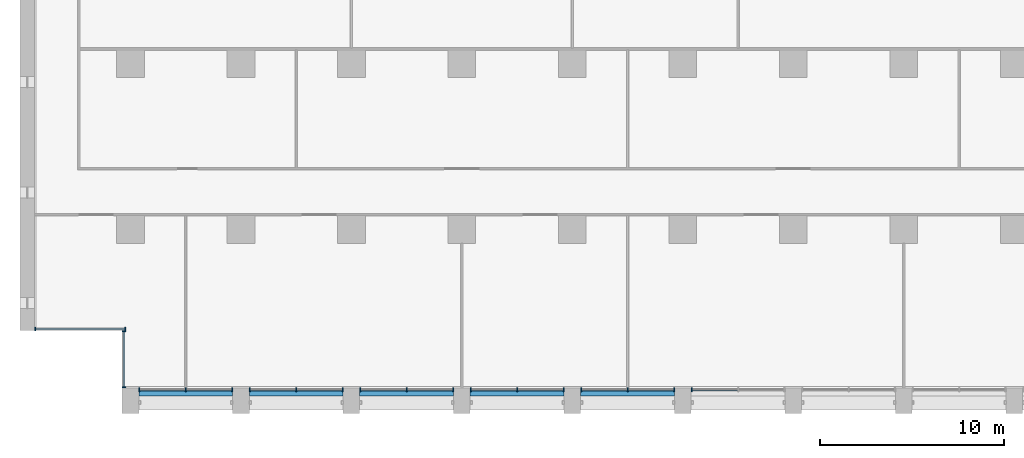
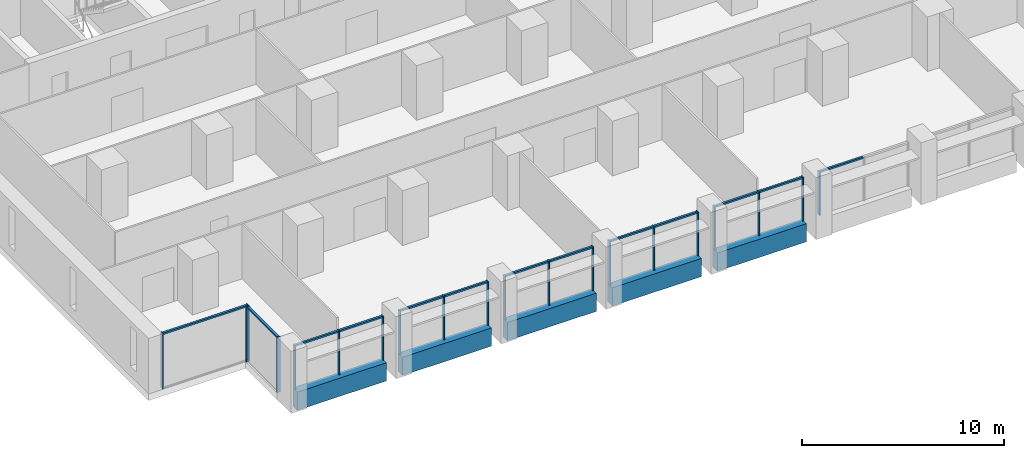
# One storey, part 2 of 18: 33 members, 5 beams, 8 elements without a shape of their own.
"""IFC4 building model written with IfcOpenShell, lengths in metres."""

from ifc_helpers import new_model, si_unit, direction, frame, origin, origin_2d, place, context, subcontext, project, spatial, rectangle, extrude, material, material_profile, profile_set, type_object, element, aggregate, save


model = new_model("IFC4")

# Units and contexts
model_context = context("Model", 3, precision=1e-05, world=origin(), true_north=direction((0.0, 1.0)))
body_context = subcontext(model_context, "Body", "Model", "MODEL_VIEW")
ifc_project = project(units=[si_unit("LENGTHUNIT", "METRE"), si_unit("AREAUNIT", "SQUARE_METRE"), si_unit("VOLUMEUNIT", "CUBIC_METRE"), si_unit("PLANEANGLEUNIT", "RADIAN"), si_unit("MASSUNIT", "GRAM", prefix="KILO")], contexts=[model_context])

# Site, building, storey
site_placement = place(None, origin())
site = spatial("IfcSite", under=ifc_project, at=site_placement, CompositionType="ELEMENT")
building_placement = place(site_placement, origin())
building = spatial("IfcBuilding", under=site, at=building_placement, Name="Calvaro Tower", CompositionType="ELEMENT")
storey_placement = place(building_placement, frame((0.0, 0.0, 82.5)))
storey = spatial("IfcBuildingStorey", under=building, at=storey_placement, Name="L20", CompositionType="ELEMENT", Elevation=82.5)

# Curtain wall, members
ifc_material_1 = material(Name="Anodised aluminium", Category="aluminium")
curtain_wall_type = type_object("IfcCurtainWallType", Name="Office curtain wall, lower zone", PredefinedType="NOTDEFINED", material=ifc_material_1)
curtain_wall_1_placement = place(storey_placement, origin())
curtain_wall_1 = element("IfcCurtainWall", 1, at=curtain_wall_1_placement, inside=storey, type_object=curtain_wall_type, Name="CW1 south curtain wall", PredefinedType="NOTDEFINED")
ifc_material_2 = material(Name="Anodised aluminium", Category="aluminium")
ifc_material_profile_1 = material_profile(ifc_material_2, rectangle(XDim=0.199951171875, YDim=0.06005859375, at=origin_2d()), Name="Mullion S1 60 x 200")
ifc_profile_set_1 = profile_set([ifc_material_profile_1], Name="Anodised aluminium")
member_type_1 = type_object("IfcMemberType", Name="Mullion S1 60 x 200", PredefinedType="MULLION", material=ifc_profile_set_1)
member_1_placement = place(storey_placement, frame((6.47998046875, 1.300048828125, 0.0), z_axis=(0.0, 0.0, 1.0), x_axis=(0.0, 1.0, 0.0)))
member_1 = element("IfcMember", 2, at=member_1_placement, type_object=member_type_1, Name="CW1 mullion 1", PredefinedType="MULLION", context=body_context, shape_type="SweptSolid", body=[
    extrude(rectangle(XDim=0.199951171875, YDim=0.06005859375, at=origin_2d()), origin(), (0.0, 0.0, 1.0), 2.64990234375),
])
member_2_placement = place(storey_placement, frame((9.0, 1.300048828125, 0.0), z_axis=(0.0, 0.0, 1.0), x_axis=(0.0, 1.0, 0.0)))
member_2 = element("IfcMember", 3, at=member_2_placement, type_object=member_type_1, Name="CW1 mullion 2", PredefinedType="MULLION", context=body_context, shape_type="SweptSolid", body=[
    extrude(rectangle(XDim=0.199951171875, YDim=0.06005859375, at=origin_2d()), origin(), (0.0, 0.0, 1.0), 2.64990234375),
])
member_3_placement = place(storey_placement, frame((11.52001953125, 1.300048828125, 0.0), z_axis=(0.0, 0.0, 1.0), x_axis=(0.0, 1.0, 0.0)))
member_3 = element("IfcMember", 4, at=member_3_placement, type_object=member_type_1, Name="CW1 mullion 3", PredefinedType="MULLION", context=body_context, shape_type="SweptSolid", body=[
    extrude(rectangle(XDim=0.199951171875, YDim=0.06005859375, at=origin_2d()), origin(), (0.0, 0.0, 1.0), 2.64990234375),
])

curtain_wall_2_placement = place(storey_placement, origin())
curtain_wall_2 = element("IfcCurtainWall", 5, at=curtain_wall_2_placement, inside=storey, type_object=curtain_wall_type, Name="CW1 south curtain wall", PredefinedType="NOTDEFINED")
member_4_placement = place(storey_placement, frame((12.47998046875, 1.300048828125, 0.0), z_axis=(0.0, 0.0, 1.0), x_axis=(0.0, 1.0, 0.0)))
member_4 = element("IfcMember", 6, at=member_4_placement, type_object=member_type_1, Name="CW1 mullion 1", PredefinedType="MULLION", context=body_context, shape_type="SweptSolid", body=[
    extrude(rectangle(XDim=0.199951171875, YDim=0.06005859375, at=origin_2d()), origin(), (0.0, 0.0, 1.0), 2.64990234375),
])
member_5_placement = place(storey_placement, frame((15.0, 1.300048828125, 0.0), z_axis=(0.0, 0.0, 1.0), x_axis=(0.0, 1.0, 0.0)))
member_5 = element("IfcMember", 7, at=member_5_placement, type_object=member_type_1, Name="CW1 mullion 2", PredefinedType="MULLION", context=body_context, shape_type="SweptSolid", body=[
    extrude(rectangle(XDim=0.199951171875, YDim=0.06005859375, at=origin_2d()), origin(), (0.0, 0.0, 1.0), 2.64990234375),
])
member_6_placement = place(storey_placement, frame((17.52001953125, 1.300048828125, 0.0), z_axis=(0.0, 0.0, 1.0), x_axis=(0.0, 1.0, 0.0)))
member_6 = element("IfcMember", 8, at=member_6_placement, type_object=member_type_1, Name="CW1 mullion 3", PredefinedType="MULLION", context=body_context, shape_type="SweptSolid", body=[
    extrude(rectangle(XDim=0.199951171875, YDim=0.06005859375, at=origin_2d()), origin(), (0.0, 0.0, 1.0), 2.64990234375),
])

curtain_wall_3_placement = place(storey_placement, origin())
curtain_wall_3 = element("IfcCurtainWall", 9, at=curtain_wall_3_placement, inside=storey, type_object=curtain_wall_type, Name="CW1 south curtain wall", PredefinedType="NOTDEFINED")
member_7_placement = place(storey_placement, frame((18.47998046875, 1.300048828125, 0.0), z_axis=(0.0, 0.0, 1.0), x_axis=(0.0, 1.0, 0.0)))
member_7 = element("IfcMember", 10, at=member_7_placement, type_object=member_type_1, Name="CW1 mullion 1", PredefinedType="MULLION", context=body_context, shape_type="SweptSolid", body=[
    extrude(rectangle(XDim=0.199951171875, YDim=0.06005859375, at=origin_2d()), origin(), (0.0, 0.0, 1.0), 2.64990234375),
])
member_8_placement = place(storey_placement, frame((21.0, 1.300048828125, 0.0), z_axis=(0.0, 0.0, 1.0), x_axis=(0.0, 1.0, 0.0)))
member_8 = element("IfcMember", 11, at=member_8_placement, type_object=member_type_1, Name="CW1 mullion 2", PredefinedType="MULLION", context=body_context, shape_type="SweptSolid", body=[
    extrude(rectangle(XDim=0.199951171875, YDim=0.06005859375, at=origin_2d()), origin(), (0.0, 0.0, 1.0), 2.64990234375),
])
member_9_placement = place(storey_placement, frame((23.52001953125, 1.300048828125, 0.0), z_axis=(0.0, 0.0, 1.0), x_axis=(0.0, 1.0, 0.0)))
member_9 = element("IfcMember", 12, at=member_9_placement, type_object=member_type_1, Name="CW1 mullion 3", PredefinedType="MULLION", context=body_context, shape_type="SweptSolid", body=[
    extrude(rectangle(XDim=0.199951171875, YDim=0.06005859375, at=origin_2d()), origin(), (0.0, 0.0, 1.0), 2.64990234375),
])

curtain_wall_4_placement = place(storey_placement, origin())
curtain_wall_4 = element("IfcCurtainWall", 13, at=curtain_wall_4_placement, inside=storey, type_object=curtain_wall_type, Name="CW1 south curtain wall", PredefinedType="NOTDEFINED")
member_10_placement = place(storey_placement, frame((24.47998046875, 1.300048828125, 0.0), z_axis=(0.0, 0.0, 1.0), x_axis=(0.0, 1.0, 0.0)))
member_10 = element("IfcMember", 14, at=member_10_placement, type_object=member_type_1, Name="CW1 mullion 1", PredefinedType="MULLION", context=body_context, shape_type="SweptSolid", body=[
    extrude(rectangle(XDim=0.199951171875, YDim=0.06005859375, at=origin_2d()), origin(), (0.0, 0.0, 1.0), 2.64990234375),
])
member_11_placement = place(storey_placement, frame((27.0, 1.300048828125, 0.0), z_axis=(0.0, 0.0, 1.0), x_axis=(0.0, 1.0, 0.0)))
member_11 = element("IfcMember", 15, at=member_11_placement, type_object=member_type_1, Name="CW1 mullion 2", PredefinedType="MULLION", context=body_context, shape_type="SweptSolid", body=[
    extrude(rectangle(XDim=0.199951171875, YDim=0.06005859375, at=origin_2d()), origin(), (0.0, 0.0, 1.0), 2.64990234375),
])
member_12_placement = place(storey_placement, frame((29.52001953125, 1.300048828125, 0.0), z_axis=(0.0, 0.0, 1.0), x_axis=(0.0, 1.0, 0.0)))
member_12 = element("IfcMember", 16, at=member_12_placement, type_object=member_type_1, Name="CW1 mullion 3", PredefinedType="MULLION", context=body_context, shape_type="SweptSolid", body=[
    extrude(rectangle(XDim=0.199951171875, YDim=0.06005859375, at=origin_2d()), origin(), (0.0, 0.0, 1.0), 2.64990234375),
])

curtain_wall_5_placement = place(storey_placement, origin())
curtain_wall_5 = element("IfcCurtainWall", 17, at=curtain_wall_5_placement, inside=storey, type_object=curtain_wall_type, Name="CW1 south curtain wall", PredefinedType="NOTDEFINED")
member_13_placement = place(storey_placement, frame((30.47998046875, 1.300048828125, 0.0), z_axis=(0.0, 0.0, 1.0), x_axis=(0.0, 1.0, 0.0)))
member_13 = element("IfcMember", 18, at=member_13_placement, type_object=member_type_1, Name="CW1 mullion 1", PredefinedType="MULLION", context=body_context, shape_type="SweptSolid", body=[
    extrude(rectangle(XDim=0.199951171875, YDim=0.06005859375, at=origin_2d()), origin(), (0.0, 0.0, 1.0), 2.64990234375),
])
member_14_placement = place(storey_placement, frame((33.0, 1.300048828125, 0.0), z_axis=(0.0, 0.0, 1.0), x_axis=(0.0, 1.0, 0.0)))
member_14 = element("IfcMember", 19, at=member_14_placement, type_object=member_type_1, Name="CW1 mullion 2", PredefinedType="MULLION", context=body_context, shape_type="SweptSolid", body=[
    extrude(rectangle(XDim=0.199951171875, YDim=0.06005859375, at=origin_2d()), origin(), (0.0, 0.0, 1.0), 2.64990234375),
])
member_15_placement = place(storey_placement, frame((35.52001953125, 1.300048828125, 0.0), z_axis=(0.0, 0.0, 1.0), x_axis=(0.0, 1.0, 0.0)))
member_15 = element("IfcMember", 20, at=member_15_placement, type_object=member_type_1, Name="CW1 mullion 3", PredefinedType="MULLION", context=body_context, shape_type="SweptSolid", body=[
    extrude(rectangle(XDim=0.199951171875, YDim=0.06005859375, at=origin_2d()), origin(), (0.0, 0.0, 1.0), 2.64990234375),
])

# Curtain wall, member
curtain_wall_6_placement = place(storey_placement, origin())
curtain_wall_6 = element("IfcCurtainWall", 21, at=curtain_wall_6_placement, inside=storey, type_object=curtain_wall_type, Name="CW1 south curtain wall", PredefinedType="NOTDEFINED")
member_16_placement = place(storey_placement, frame((36.47998046875, 1.300048828125, 0.0), z_axis=(0.0, 0.0, 1.0), x_axis=(0.0, 1.0, 0.0)))
member_16 = element("IfcMember", 22, at=member_16_placement, type_object=member_type_1, Name="CW1 mullion 1", PredefinedType="MULLION", context=body_context, shape_type="SweptSolid", body=[
    extrude(rectangle(XDim=0.199951171875, YDim=0.06005859375, at=origin_2d()), origin(), (0.0, 0.0, 1.0), 2.64990234375),
])

# Curtain wall, members
curtain_wall_7_placement = place(storey_placement, origin())
curtain_wall_7 = element("IfcCurtainWall", 23, at=curtain_wall_7_placement, inside=storey, type_object=curtain_wall_type, Name="CW1 corner curtain wall", PredefinedType="NOTDEFINED")
member_17_placement = place(storey_placement, frame((5.64990234375, 1.429931640625, 0.0), z_axis=(0.0, 0.0, 1.0), x_axis=(-1.0, 0.0, 0.0)))
member_17 = element("IfcMember", 24, at=member_17_placement, type_object=member_type_1, Name="CW1 mullion 1", PredefinedType="MULLION", context=body_context, shape_type="SweptSolid", body=[
    extrude(rectangle(XDim=0.199951171875, YDim=0.06005859375, at=origin_2d()), origin(), (0.0, 0.0, 1.0), 3.35009765625),
])
member_18_placement = place(storey_placement, frame((5.64990234375, 4.469970703125, 0.0), z_axis=(0.0, 0.0, 1.0), x_axis=(-1.0, 0.0, 0.0)))
member_18 = element("IfcMember", 25, at=member_18_placement, type_object=member_type_1, Name="CW1 mullion 2", PredefinedType="MULLION", context=body_context, shape_type="SweptSolid", body=[
    extrude(rectangle(XDim=0.199951171875, YDim=0.06005859375, at=origin_2d()), origin(), (0.0, 0.0, 1.0), 3.35009765625),
])

curtain_wall_8_placement = place(storey_placement, origin())
curtain_wall_8 = element("IfcCurtainWall", 26, at=curtain_wall_8_placement, inside=storey, type_object=curtain_wall_type, Name="CW1 corner curtain wall", PredefinedType="NOTDEFINED")
member_19_placement = place(storey_placement, frame((0.830078125, 4.60009765625, 0.0), z_axis=(0.0, 0.0, 1.0), x_axis=(0.0, 1.0, 0.0)))
member_19 = element("IfcMember", 27, at=member_19_placement, type_object=member_type_1, Name="CW1 mullion 1", PredefinedType="MULLION", context=body_context, shape_type="SweptSolid", body=[
    extrude(rectangle(XDim=0.199951171875, YDim=0.06005859375, at=origin_2d()), origin(), (0.0, 0.0, 1.0), 3.35009765625),
])
member_20_placement = place(storey_placement, frame((5.719970703125, 4.60009765625, 0.0), z_axis=(0.0, 0.0, 1.0), x_axis=(0.0, 1.0, 0.0)))
member_20 = element("IfcMember", 28, at=member_20_placement, type_object=member_type_1, Name="CW1 mullion 2", PredefinedType="MULLION", context=body_context, shape_type="SweptSolid", body=[
    extrude(rectangle(XDim=0.199951171875, YDim=0.06005859375, at=origin_2d()), origin(), (0.0, 0.0, 1.0), 3.35009765625),
])

# Beams
ifc_material_3 = material(Name="Concrete C50/60 precast", Category="concrete")
ifc_material_profile_2 = material_profile(ifc_material_3, rectangle(XDim=0.449951171875, YDim=1.10009765625, at=origin_2d()), Name="RC 450x1100")
ifc_profile_set_2 = profile_set([ifc_material_profile_2], Name="Concrete C50/60 precast")
beam_type = type_object("IfcBeamType", Name="Spandrel beam 450x1100 C50/60", PredefinedType="SPANDREL", material=ifc_profile_set_2)
for number, where, z_axis, x_axis, name in (
    (29, (6.449951171875, 1.175048828125, -0.550048828125), (1.0, 0.0, 0.0), (0.0, 1.0, 0.0), "Spandrel beam"),
    (30, (12.449951171875, 1.175048828125, -0.550048828125), (1.0, 0.0, 0.0), (0.0, 1.0, 0.0), "Spandrel beam"),
    (31, (18.449951171875, 1.175048828125, -0.550048828125), (1.0, 0.0, 0.0), (0.0, 1.0, 0.0), "Spandrel beam"),
    (32, (24.449951171875, 1.175048828125, -0.550048828125), (1.0, 0.0, 0.0), (0.0, 1.0, 0.0), "Spandrel beam"),
    (33, (30.449951171875, 1.175048828125, -0.550048828125), (1.0, 0.0, 0.0), (0.0, 1.0, 0.0), "Spandrel beam"),
):
    element("IfcBeam", number, at=place(storey_placement, frame(where, z_axis=z_axis, x_axis=x_axis)), inside=storey, type_object=beam_type, Name=name, PredefinedType="SPANDREL", context=body_context, shape_type="SweptSolid", body=[
        extrude(rectangle(XDim=0.449951171875, YDim=1.10009765625, at=origin_2d()), origin(), (0.0, 0.0, 1.0), 5.10009765625),
    ])

# Member
ifc_material_4 = material(Name="Anodised aluminium", Category="aluminium")
ifc_material_profile_3 = material_profile(ifc_material_4, rectangle(XDim=0.1201171875, YDim=0.10009765625, at=origin_2d()), Name="Transom S1 100 x 120")
ifc_profile_set_3 = profile_set([ifc_material_profile_3], Name="Anodised aluminium")
member_type_2 = type_object("IfcMemberType", Name="Transom S1 100 x 120", PredefinedType="USERDEFINED", material=ifc_profile_set_3)
member_21_placement = place(storey_placement, frame((6.510009765625, 1.300048828125, 2.60009765625), z_axis=(1.0, 0.0, 0.0), x_axis=(0.0, 1.0, 0.0)))
member_21 = element("IfcMember", 34, at=member_21_placement, type_object=member_type_2, Name="CW1 transom 1.1", ObjectType="TRANSOM", PredefinedType="USERDEFINED", context=body_context, shape_type="SweptSolid", body=[
    extrude(rectangle(XDim=0.1201171875, YDim=0.10009765625, at=origin_2d()), origin(), (0.0, 0.0, 1.0), 2.4599609375),
])

member_22_placement = place(storey_placement, frame((9.030029296875, 1.300048828125, 2.60009765625), z_axis=(1.0, 0.0, 0.0), x_axis=(0.0, 1.0, 0.0)))
member_22 = element("IfcMember", 35, at=member_22_placement, type_object=member_type_2, Name="CW1 transom 2.1", ObjectType="TRANSOM", PredefinedType="USERDEFINED", context=body_context, shape_type="SweptSolid", body=[
    extrude(rectangle(XDim=0.1201171875, YDim=0.10009765625, at=origin_2d()), origin(), (0.0, 0.0, 1.0), 2.4599609375),
])

aggregate(curtain_wall_1, [member_1, member_2, member_3, member_21, member_22])

member_23_placement = place(storey_placement, frame((12.510009765625, 1.300048828125, 2.60009765625), z_axis=(1.0, 0.0, 0.0), x_axis=(0.0, 1.0, 0.0)))
member_23 = element("IfcMember", 36, at=member_23_placement, type_object=member_type_2, Name="CW1 transom 1.1", ObjectType="TRANSOM", PredefinedType="USERDEFINED", context=body_context, shape_type="SweptSolid", body=[
    extrude(rectangle(XDim=0.1201171875, YDim=0.10009765625, at=origin_2d()), origin(), (0.0, 0.0, 1.0), 2.4599609375),
])

member_24_placement = place(storey_placement, frame((15.030029296875, 1.300048828125, 2.60009765625), z_axis=(1.0, 0.0, 0.0), x_axis=(0.0, 1.0, 0.0)))
member_24 = element("IfcMember", 37, at=member_24_placement, type_object=member_type_2, Name="CW1 transom 2.1", ObjectType="TRANSOM", PredefinedType="USERDEFINED", context=body_context, shape_type="SweptSolid", body=[
    extrude(rectangle(XDim=0.1201171875, YDim=0.10009765625, at=origin_2d()), origin(), (0.0, 0.0, 1.0), 2.4599609375),
])

aggregate(curtain_wall_2, [member_4, member_5, member_6, member_23, member_24])

member_25_placement = place(storey_placement, frame((18.510009765625, 1.300048828125, 2.60009765625), z_axis=(1.0, 0.0, 0.0), x_axis=(0.0, 1.0, 0.0)))
member_25 = element("IfcMember", 38, at=member_25_placement, type_object=member_type_2, Name="CW1 transom 1.1", ObjectType="TRANSOM", PredefinedType="USERDEFINED", context=body_context, shape_type="SweptSolid", body=[
    extrude(rectangle(XDim=0.1201171875, YDim=0.10009765625, at=origin_2d()), origin(), (0.0, 0.0, 1.0), 2.4599609375),
])

member_26_placement = place(storey_placement, frame((21.030029296875, 1.300048828125, 2.60009765625), z_axis=(1.0, 0.0, 0.0), x_axis=(0.0, 1.0, 0.0)))
member_26 = element("IfcMember", 39, at=member_26_placement, type_object=member_type_2, Name="CW1 transom 2.1", ObjectType="TRANSOM", PredefinedType="USERDEFINED", context=body_context, shape_type="SweptSolid", body=[
    extrude(rectangle(XDim=0.1201171875, YDim=0.10009765625, at=origin_2d()), origin(), (0.0, 0.0, 1.0), 2.4599609375),
])

aggregate(curtain_wall_3, [member_7, member_8, member_9, member_25, member_26])

member_27_placement = place(storey_placement, frame((24.510009765625, 1.300048828125, 2.60009765625), z_axis=(1.0, 0.0, 0.0), x_axis=(0.0, 1.0, 0.0)))
member_27 = element("IfcMember", 40, at=member_27_placement, type_object=member_type_2, Name="CW1 transom 1.1", ObjectType="TRANSOM", PredefinedType="USERDEFINED", context=body_context, shape_type="SweptSolid", body=[
    extrude(rectangle(XDim=0.1201171875, YDim=0.10009765625, at=origin_2d()), origin(), (0.0, 0.0, 1.0), 2.4599609375),
])

member_28_placement = place(storey_placement, frame((27.030029296875, 1.300048828125, 2.60009765625), z_axis=(1.0, 0.0, 0.0), x_axis=(0.0, 1.0, 0.0)))
member_28 = element("IfcMember", 41, at=member_28_placement, type_object=member_type_2, Name="CW1 transom 2.1", ObjectType="TRANSOM", PredefinedType="USERDEFINED", context=body_context, shape_type="SweptSolid", body=[
    extrude(rectangle(XDim=0.1201171875, YDim=0.10009765625, at=origin_2d()), origin(), (0.0, 0.0, 1.0), 2.4599609375),
])

aggregate(curtain_wall_4, [member_10, member_11, member_12, member_27, member_28])

member_29_placement = place(storey_placement, frame((30.510009765625, 1.300048828125, 2.60009765625), z_axis=(1.0, 0.0, 0.0), x_axis=(0.0, 1.0, 0.0)))
member_29 = element("IfcMember", 42, at=member_29_placement, type_object=member_type_2, Name="CW1 transom 1.1", ObjectType="TRANSOM", PredefinedType="USERDEFINED", context=body_context, shape_type="SweptSolid", body=[
    extrude(rectangle(XDim=0.1201171875, YDim=0.10009765625, at=origin_2d()), origin(), (0.0, 0.0, 1.0), 2.4599609375),
])

member_30_placement = place(storey_placement, frame((33.030029296875, 1.300048828125, 2.60009765625), z_axis=(1.0, 0.0, 0.0), x_axis=(0.0, 1.0, 0.0)))
member_30 = element("IfcMember", 43, at=member_30_placement, type_object=member_type_2, Name="CW1 transom 2.1", ObjectType="TRANSOM", PredefinedType="USERDEFINED", context=body_context, shape_type="SweptSolid", body=[
    extrude(rectangle(XDim=0.1201171875, YDim=0.10009765625, at=origin_2d()), origin(), (0.0, 0.0, 1.0), 2.4599609375),
])

aggregate(curtain_wall_5, [member_13, member_14, member_15, member_29, member_30])

member_31_placement = place(storey_placement, frame((36.510009765625, 1.300048828125, 2.60009765625), z_axis=(1.0, 0.0, 0.0), x_axis=(0.0, 1.0, 0.0)))
member_31 = element("IfcMember", 44, at=member_31_placement, type_object=member_type_2, Name="CW1 transom 1.1", ObjectType="TRANSOM", PredefinedType="USERDEFINED", context=body_context, shape_type="SweptSolid", body=[
    extrude(rectangle(XDim=0.1201171875, YDim=0.10009765625, at=origin_2d()), origin(), (0.0, 0.0, 1.0), 2.4599609375),
])

aggregate(curtain_wall_6, [member_16, member_31])

member_32_placement = place(storey_placement, frame((5.64990234375, 1.4599609375, 3.300048828125), z_axis=(0.0, 1.0, 0.0), x_axis=(-1.0, 0.0, 0.0)))
member_32 = element("IfcMember", 45, at=member_32_placement, type_object=member_type_2, Name="CW1 transom 1.1", ObjectType="TRANSOM", PredefinedType="USERDEFINED", context=body_context, shape_type="SweptSolid", body=[
    extrude(rectangle(XDim=0.1201171875, YDim=0.10009765625, at=origin_2d()), origin(), (0.0, 0.0, 1.0), 2.97998046875),
])

aggregate(curtain_wall_7, [member_17, member_18, member_32])

member_33_placement = place(storey_placement, frame((0.860107421875, 4.60009765625, 3.300048828125), z_axis=(1.0, 0.0, 0.0), x_axis=(0.0, 1.0, 0.0)))
member_33 = element("IfcMember", 46, at=member_33_placement, type_object=member_type_2, Name="CW1 transom 1.1", ObjectType="TRANSOM", PredefinedType="USERDEFINED", context=body_context, shape_type="SweptSolid", body=[
    extrude(rectangle(XDim=0.1201171875, YDim=0.10009765625, at=origin_2d()), origin(), (0.0, 0.0, 1.0), 4.829833984375),
])

aggregate(curtain_wall_8, [member_19, member_20, member_33])

save(model, "model.ifc")
